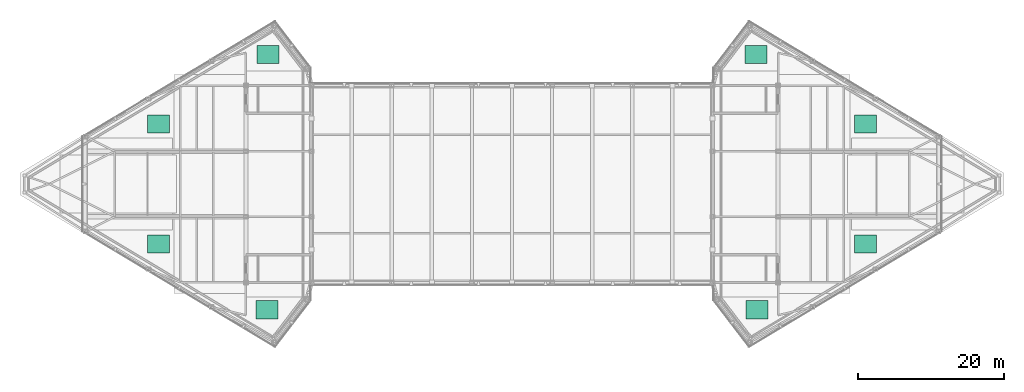
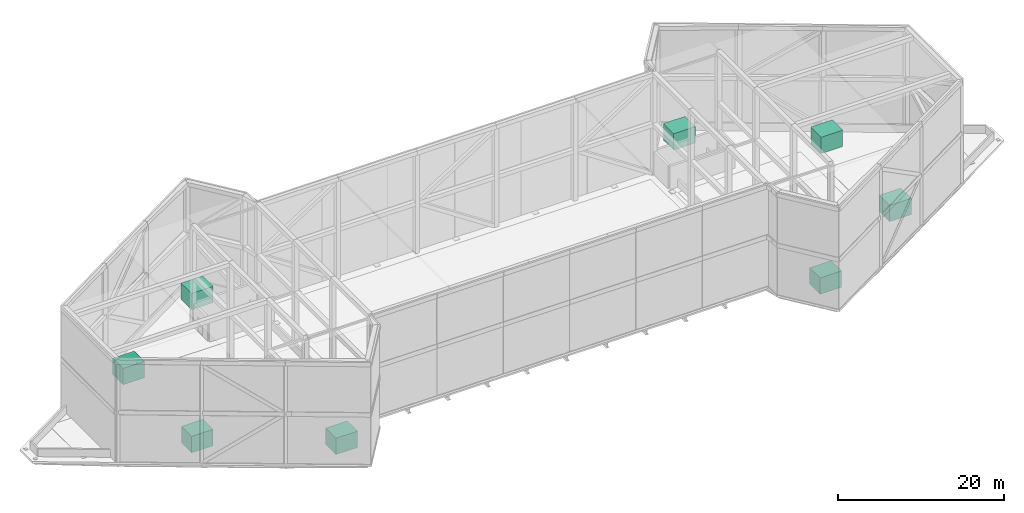
# One storey, part 16 of 16: 8 unitary equipment elements.
"""IFC4 building model written with IfcOpenShell, lengths in metres."""

from ifc_helpers import new_model, si_unit, direction, frame, origin, origin_2d, place, context, subcontext, project, spatial, rectangle, extrude, source, transform, mapped, material, type_object, type_shapes, element, save


model = new_model("IFC4")

# Units and contexts
model_context = context("Model", 3, precision=1e-05, world=origin(), true_north=direction((0.0, 1.0)))
body_context = subcontext(model_context, "Body", "Model", "MODEL_VIEW")
ifc_project = project(units=[si_unit("LENGTHUNIT", "METRE"), si_unit("AREAUNIT", "SQUARE_METRE"), si_unit("VOLUMEUNIT", "CUBIC_METRE"), si_unit("PLANEANGLEUNIT", "RADIAN"), si_unit("MASSUNIT", "GRAM", prefix="KILO")], contexts=[model_context])

# Site, building, storey
site_placement = place(None, origin())
site = spatial("IfcSite", under=ifc_project, at=site_placement, CompositionType="ELEMENT")
building_placement = place(site_placement, origin())
building = spatial("IfcBuilding", under=site, at=building_placement, Name="Seokmaru Belvedere", CompositionType="ELEMENT")
storey_placement = place(building_placement, frame((0.0, 0.0, 279.0)))
storey = spatial("IfcBuildingStorey", under=building, at=storey_placement, Name="RF", CompositionType="ELEMENT", Elevation=279.0)

# Unitary equipment
ifc_material = material(Name="Galvanised Steel Casing", Category="steel")
unitary_equipment_type = type_object("IfcUnitaryEquipmentType", Name="Rooftop Air Handling Unit 3000x2500x2400", PredefinedType="ROOFTOPUNIT", material=ifc_material)
shared_shape = source(origin(), body_context, "Body", "SweptSolid", [
    extrude(rectangle(XDim=3.0, YDim=2.5, at=origin_2d()), origin(), (0.0, 0.0, 1.0), 2.39990234375),
])
type_shapes(unitary_equipment_type, [shared_shape])
for number, where, z_axis, x_axis, name in (
    (1, (-33.625, -17.25, 0.0), (0.0, 0.0, 1.0), (1.0, 0.0, 0.0), "RF Rooftop Air Handling Unit RAH1"),
    (2, (-48.5, -8.25, 0.0), (0.0, 0.0, 1.0), (1.0, 0.0, 0.0), "RF Rooftop Air Handling Unit RAH2"),
    (3, (-48.5, 8.25, 0.0), (0.0, 0.0, 1.0), (1.0, 0.0, 0.0), "RF Rooftop Air Handling Unit RAH3"),
    (4, (-33.5, 17.75, 0.0), (0.0, 0.0, 1.0), (1.0, 0.0, 0.0), "RF Rooftop Air Handling Unit RAH4"),
    (5, (33.625, -17.25, 0.0), (0.0, 0.0, 1.0), (1.0, 0.0, 0.0), "RF Rooftop Air Handling Unit RAH5"),
    (6, (48.5, -8.25, 0.0), (0.0, 0.0, 1.0), (1.0, 0.0, 0.0), "RF Rooftop Air Handling Unit RAH6"),
    (7, (48.5, 8.25, 0.0), (0.0, 0.0, 1.0), (1.0, 0.0, 0.0), "RF Rooftop Air Handling Unit RAH7"),
    (8, (33.5, 17.75, 0.0), (0.0, 0.0, 1.0), (1.0, 0.0, 0.0), "RF Rooftop Air Handling Unit RAH8"),
):
    element("IfcUnitaryEquipment", number, at=place(storey_placement, frame(where, z_axis=z_axis, x_axis=x_axis)), inside=storey, type_object=unitary_equipment_type, Name=name, PredefinedType="ROOFTOPUNIT", context=body_context, shape_type="MappedRepresentation", body=[
        mapped(shared_shape, transform((0.0, 0.0, 0.0), scale=1.0)),
    ])

save(model, "model.ifc")
